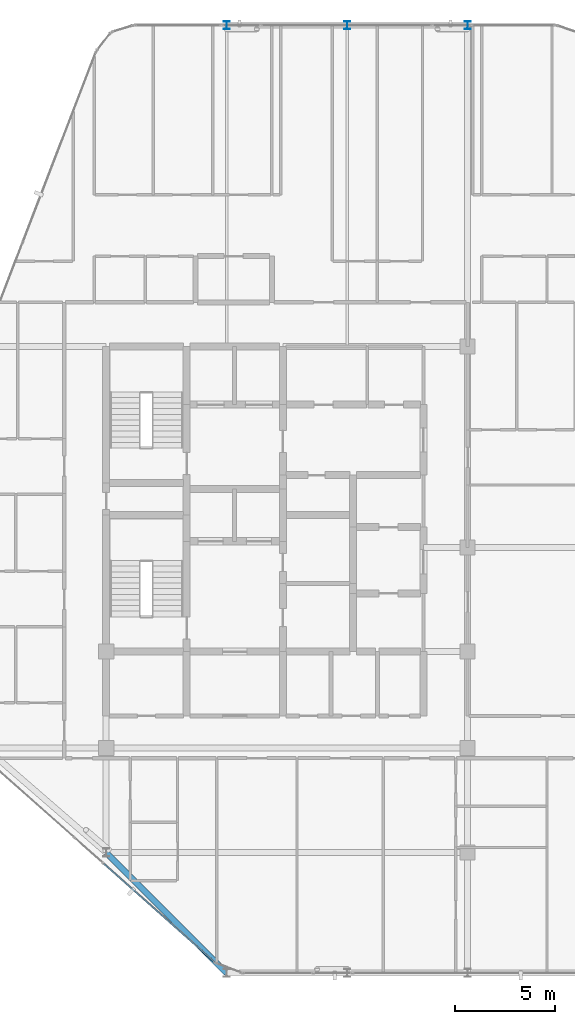
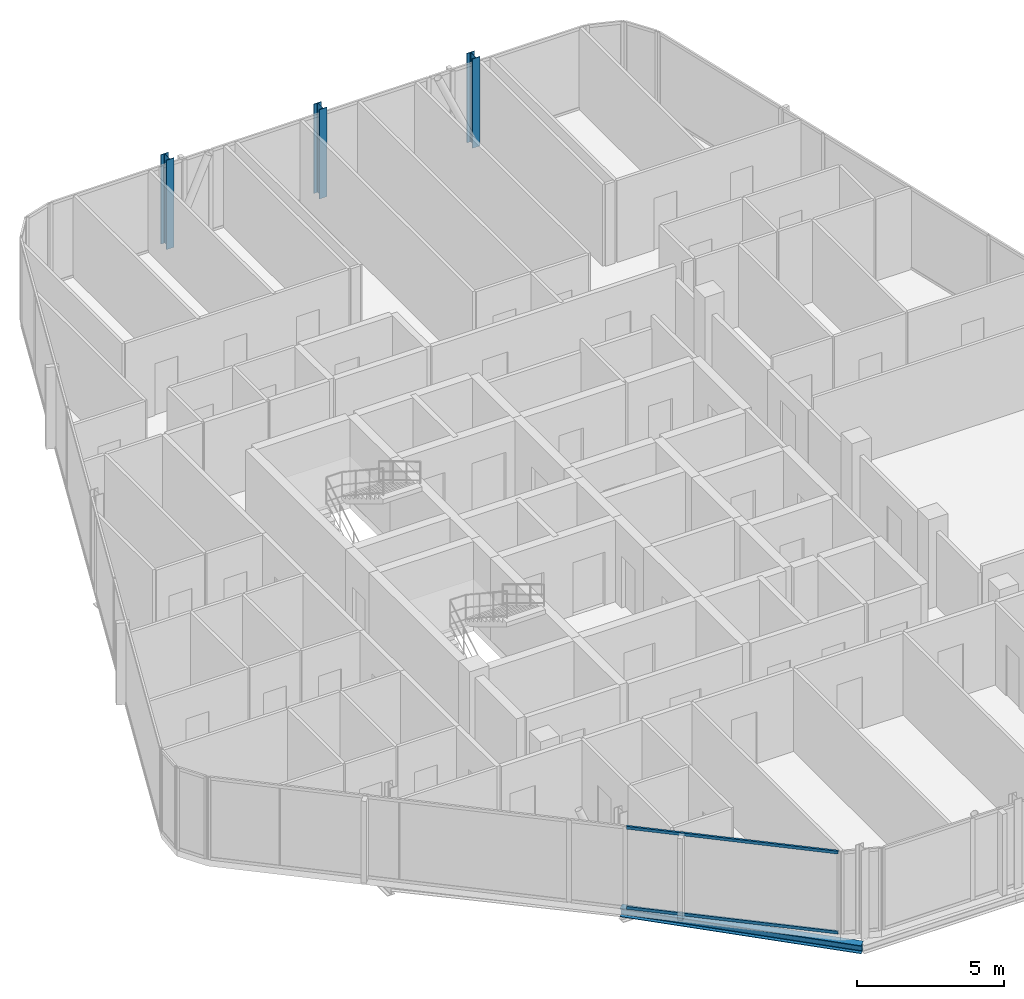
# One storey, part 2 of 27: 3 columns, 2 members, 1 beam, 1 element without a shape of its own.
"""IFC4 building model written with IfcOpenShell, lengths in metres."""

from ifc_helpers import new_model, si_unit, direction, frame, origin, origin_2d, place, context, subcontext, project, spatial, hollow_rectangle, i_section, extrude, material, layer, layer_set, material_profile, profile_set, type_object, element, aggregate, save


model = new_model("IFC4")

# Units and contexts
model_context = context("Model", 3, precision=1e-05, world=origin(), true_north=direction((0.0, 1.0)))
body_context = subcontext(model_context, "Body", "Model", "MODEL_VIEW")
ifc_project = project(units=[si_unit("LENGTHUNIT", "METRE"), si_unit("AREAUNIT", "SQUARE_METRE"), si_unit("VOLUMEUNIT", "CUBIC_METRE"), si_unit("PLANEANGLEUNIT", "RADIAN"), si_unit("MASSUNIT", "GRAM", prefix="KILO")], contexts=[model_context])

# Site, building, storey
site_placement = place(None, origin())
site = spatial("IfcSite", under=ifc_project, at=site_placement, CompositionType="ELEMENT")
building_placement = place(site_placement, origin())
building = spatial("IfcBuilding", under=site, at=building_placement, Name="Keshet Zoharim Tower", CompositionType="ELEMENT")
storey_placement = place(building_placement, frame((0.0, 0.0, 273.199951171875)))
storey = spatial("IfcBuildingStorey", under=building, at=storey_placement, Name="L68", CompositionType="ELEMENT", Elevation=273.199951171875)

# Columns
ifc_material_1 = material(Name="Steel S355", Category="steel")
ifc_material_profile_1 = material_profile(ifc_material_1, i_section(OverallWidth=0.300048828125, OverallDepth=0.39990234375, WebThickness=0.013427734375, FlangeThickness=0.02392578125, FilletRadius=0.027099609375, at=origin_2d()), Name="HEB400")
ifc_profile_set_1 = profile_set([ifc_material_profile_1], Name="Steel S355")
column_type = type_object("IfcColumnType", Name="COL-HEB400", PredefinedType="COLUMN", material=ifc_profile_set_1)
for number, where, z_axis, x_axis, name in (
    (1, (21.0, 53.89990234375, 0.0), (0.0, 0.0, 1.0), (1.0, 0.0, 0.0), "L68 Column 4L"),
    (2, (27.0, 53.89990234375, 0.0), (0.0, 0.0, 1.0), (1.0, 0.0, 0.0), "L68 Column 5L"),
    (3, (33.0, 53.89990234375, 0.0), (0.0, 0.0, 1.0), (1.0, 0.0, 0.0), "L68 Column 6L"),
):
    element("IfcColumn", number, at=place(storey_placement, frame(where, z_axis=z_axis, x_axis=x_axis)), inside=storey, type_object=column_type, Name=name, PredefinedType="COLUMN", context=body_context, shape_type="SweptSolid", body=[
        extrude(i_section(OverallWidth=0.300048828125, OverallDepth=0.39990234375, WebThickness=0.013427734375, FlangeThickness=0.02392578125, FilletRadius=0.027099609375, at=origin_2d()), origin(), (0.0, 0.0, 1.0), 3.699951171875),
    ])

# Beam
ifc_material_profile_2 = material_profile(ifc_material_1, i_section(OverallWidth=0.300048828125, OverallDepth=0.340087890625, WebThickness=0.011962890625, FlangeThickness=0.021484375, FilletRadius=0.027099609375, at=origin_2d()), Name="HEB340")
ifc_profile_set_2 = profile_set([ifc_material_profile_2], Name="Steel S355")
beam_type = type_object("IfcBeamType", Name="BM-SPN-HB340", PredefinedType="SPANDREL", material=ifc_profile_set_2)
beam_placement = place(storey_placement, frame((21.0, 6.699951171875, -0.47998046875), z_axis=(-0.707106781187, 0.707106781187, 0.0), x_axis=(-0.707106781187, -0.707106781187, 0.0)))
element("IfcBeam", 4, at=beam_placement, inside=storey, type_object=beam_type, Name="L68 Perimeter Spandrel Beam 01", PredefinedType="SPANDREL", context=body_context, shape_type="SweptSolid", body=[
    extrude(i_section(OverallWidth=0.300048828125, OverallDepth=0.340087890625, WebThickness=0.011962890625, FlangeThickness=0.021484375, FilletRadius=0.027099609375, at=origin_2d()), origin(), (0.0, 0.0, 1.0), 8.4853515625),
])

# Curtain wall, members
ifc_material_2 = material(Name="Aluminium 6063-T6", Category="aluminium")
ifc_layer = layer(ifc_material_2, 0.260009765625)
ifc_layer_set = layer_set([ifc_layer], Name="Aluminium 6063-T6")
curtain_wall_type = type_object("IfcCurtainWallType", Name="CW-SYS-06", PredefinedType="NOTDEFINED", material=ifc_layer_set)
curtain_wall_placement = place(storey_placement, origin())
curtain_wall = element("IfcCurtainWall", 5, at=curtain_wall_placement, inside=storey, type_object=curtain_wall_type, Name="L68 Unitised Curtain Wall 16", PredefinedType="NOTDEFINED")
ifc_material_profile_3 = material_profile(ifc_material_2, hollow_rectangle(XDim=0.074951171875, YDim=0.1201171875, WallThickness=0.00390625, at=origin_2d()), Name="TRN-75x120")
ifc_profile_set_3 = profile_set([ifc_material_profile_3], Name="Aluminium 6063-T6")
member_type = type_object("IfcMemberType", Name="CWT-T12", PredefinedType="USERDEFINED", material=ifc_profile_set_3)
member_1_placement = place(storey_placement, frame((20.379638671875, 7.25146484375, 0.03515625), z_axis=(-0.747412985939, 0.664359713145, 0.0), x_axis=(-0.664359713145, -0.747412985939, 0.0)))
member_1 = element("IfcMember", 6, at=member_1_placement, type_object=member_type, Name="CW-06 transom 1.1", ObjectType="TRANSOM", PredefinedType="USERDEFINED", context=body_context, shape_type="SweptSolid", body=[
    extrude(hollow_rectangle(XDim=0.074951171875, YDim=0.1201171875, WallThickness=0.00390625, at=origin_2d()), origin(), (0.0, 0.0, 1.0), 7.345947265625),
])
member_2_placement = place(storey_placement, frame((20.379638671875, 7.25146484375, 3.35498046875), z_axis=(-0.747412985939, 0.664359713145, 0.0), x_axis=(-0.664359713145, -0.747412985939, 0.0)))
member_2 = element("IfcMember", 7, at=member_2_placement, type_object=member_type, Name="CW-06 transom 1.2", ObjectType="TRANSOM", PredefinedType="USERDEFINED", context=body_context, shape_type="SweptSolid", body=[
    extrude(hollow_rectangle(XDim=0.074951171875, YDim=0.1201171875, WallThickness=0.00390625, at=origin_2d()), origin(), (0.0, 0.0, 1.0), 7.345947265625),
])
aggregate(curtain_wall, [member_1, member_2])

save(model, "model.ifc")
